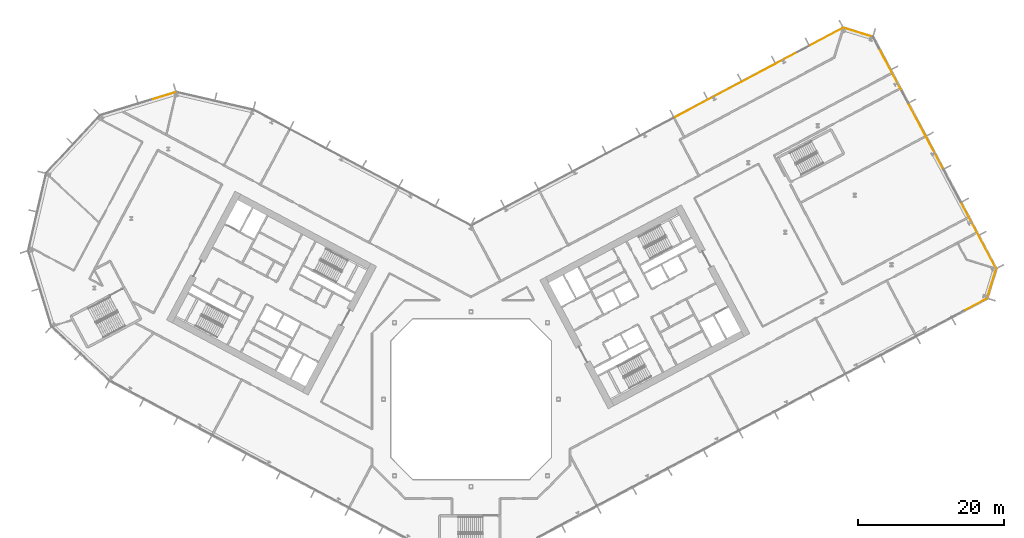
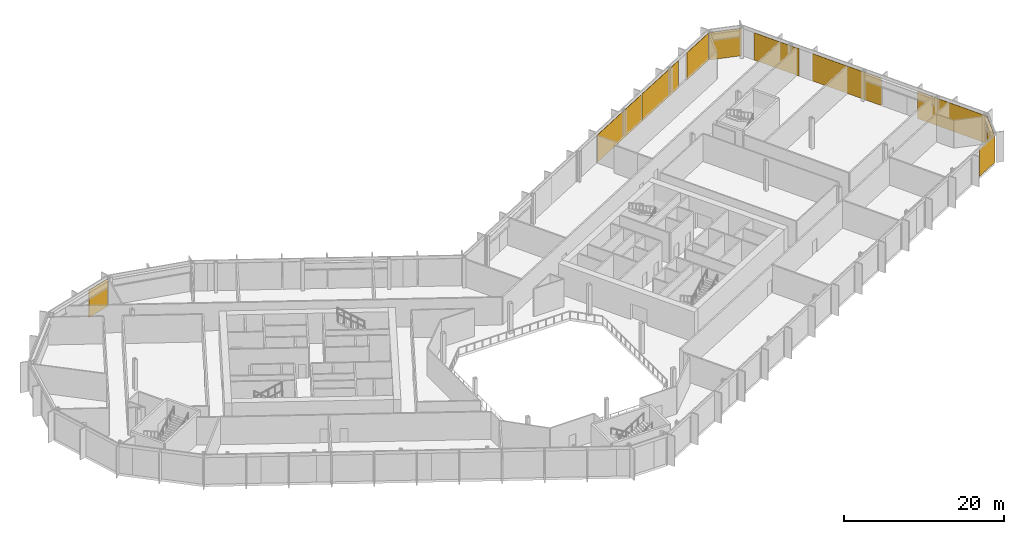
# One storey, part 31 of 32: 10 coverings, 6 elements without a shape of their own.
"""IFC4 building model written with IfcOpenShell, lengths in metres."""

from ifc_helpers import new_model, si_unit, direction, frame, origin, origin_2d, place, context, subcontext, project, spatial, rectangle, extrude, material, layer, layer_set, type_object, element, aggregate, save


model = new_model("IFC4")

# Units and contexts
model_context = context("Model", 3, precision=1e-05, world=origin(), true_north=direction((0.0, 1.0)))
body_context = subcontext(model_context, "Body", "Model", "MODEL_VIEW")
ifc_project = project(units=[si_unit("LENGTHUNIT", "METRE"), si_unit("AREAUNIT", "SQUARE_METRE"), si_unit("VOLUMEUNIT", "CUBIC_METRE"), si_unit("PLANEANGLEUNIT", "RADIAN"), si_unit("MASSUNIT", "GRAM", prefix="KILO")], contexts=[model_context])

# Site, building, storey
site_placement = place(None, origin())
site = spatial("IfcSite", under=ifc_project, at=site_placement, CompositionType="ELEMENT")
building_placement = place(site_placement, origin())
building = spatial("IfcBuilding", under=site, at=building_placement, Name="Cormorant Relay Tower", CompositionType="ELEMENT")
storey_placement = place(building_placement, frame((0.0, 0.0, 70.800048828125)))
storey = spatial("IfcBuildingStorey", under=building, at=storey_placement, Name="L13", CompositionType="ELEMENT", Elevation=70.800048828125)

# Curtain wall, covering
ifc_material_1 = material(Name="Aluminium 6063-T6 anodised bronze", Category="aluminium")
ifc_layer_1 = layer(ifc_material_1, 0.199951171875)
ifc_layer_set_1 = layer_set([ifc_layer_1], Name="CW1 unitised bronze curtain wall with vertical fins")
curtain_wall_type = type_object("IfcCurtainWallType", Name="CW1 unitised bronze curtain wall with vertical fins", PredefinedType="NOTDEFINED", material=ifc_layer_set_1)
curtain_wall_1_placement = place(storey_placement, origin())
curtain_wall_1 = element("IfcCurtainWall", 1, at=curtain_wall_1_placement, inside=storey, type_object=curtain_wall_type, Name="CW1 curtain wall 2", PredefinedType="NOTDEFINED")
ifc_material_2 = material(Name="Pale bronze anodised aluminium insulated panel", Category="aluminium")
ifc_layer_2 = layer(ifc_material_2, 0.0400390625)
ifc_layer_set_2 = layer_set([ifc_layer_2], Name="CW1 pale bronze insulated panel 40")
covering_type = type_object("IfcCoveringType", Name="CW1 pale bronze insulated panel 40", PredefinedType="CLADDING", material=ifc_layer_set_2)
covering_1_placement = place(storey_placement, frame((69.18603515625, 12.980224609375, 0.0), z_axis=(0.0, 0.0, 1.0), x_axis=(0.882947592859, 0.469471562786, 0.0)))
covering_1 = element("IfcCovering", 2, at=covering_1_placement, type_object=covering_type, Name="CW1 panel S15", PredefinedType="CLADDING", context=body_context, shape_type="SweptSolid", body=[
    extrude(rectangle(XDim=3.63671875, YDim=0.0400390625, at=origin_2d()), origin(), (0.0, 0.0, 1.0), 4.14990234375),
])
aggregate(curtain_wall_1, [covering_1])

curtain_wall_2_placement = place(storey_placement, origin())
curtain_wall_2 = element("IfcCurtainWall", 3, at=curtain_wall_2_placement, inside=storey, type_object=curtain_wall_type, Name="CW1 curtain wall 3", PredefinedType="NOTDEFINED")
covering_2_placement = place(storey_placement, frame((71.4326171875, 15.910400390625, 0.0), z_axis=(0.0, 0.0, 1.0), x_axis=(0.292371704723, 0.956304755963, 0.0)))
covering_2 = element("IfcCovering", 4, at=covering_2_placement, type_object=covering_type, Name="CW1 panel S00", PredefinedType="CLADDING", context=body_context, shape_type="SweptSolid", body=[
    extrude(rectangle(XDim=4.16748046875, YDim=0.0400390625, at=origin_2d()), origin(), (0.0, 0.0, 1.0), 4.14990234375),
])
aggregate(curtain_wall_2, [covering_2])

# Curtain wall, coverings
curtain_wall_3_placement = place(storey_placement, origin())
curtain_wall_3 = element("IfcCurtainWall", 5, at=curtain_wall_3_placement, inside=storey, type_object=curtain_wall_type, Name="CW1 curtain wall 4", PredefinedType="NOTDEFINED")
covering_3_placement = place(storey_placement, frame((69.6259765625, 22.459228515625, 0.0), z_axis=(0.0, 0.0, 1.0), x_axis=(-0.469471562786, 0.882947592859, 0.0)))
covering_3 = element("IfcCovering", 6, at=covering_3_placement, type_object=covering_type, Name="CW1 panel S00", PredefinedType="CLADDING", context=body_context, shape_type="SweptSolid", body=[
    extrude(rectangle(XDim=10.1357421875, YDim=0.0400390625, at=origin_2d()), origin(), (0.0, 0.0, 1.0), 4.14990234375),
])
covering_4_placement = place(storey_placement, frame((62.3828125, 36.081787109375, 0.0), z_axis=(0.0, 0.0, 1.0), x_axis=(-0.469471562786, 0.882947592859, 0.0)))
covering_4 = element("IfcCovering", 7, at=covering_4_placement, type_object=covering_type, Name="CW1 panel S03", PredefinedType="CLADDING", context=body_context, shape_type="SweptSolid", body=[
    extrude(rectangle(XDim=10.1357421875, YDim=0.0400390625, at=origin_2d()), origin(), (0.0, 0.0, 1.0), 4.14990234375),
])
covering_5_placement = place(storey_placement, frame((57.5361328125, 45.196533203125, 0.0), z_axis=(0.0, 0.0, 1.0), x_axis=(-0.469471562786, 0.882947592859, 0.0)))
covering_5 = element("IfcCovering", 8, at=covering_5_placement, type_object=covering_type, Name="CW1 panel S05", PredefinedType="CLADDING", context=body_context, shape_type="SweptSolid", body=[
    extrude(rectangle(XDim=6.610595703125, YDim=0.0400390625, at=origin_2d()), origin(), (0.0, 0.0, 1.0), 4.14990234375),
])
aggregate(curtain_wall_3, [covering_3, covering_4, covering_5])

# Curtain wall, covering
curtain_wall_4_placement = place(storey_placement, origin())
curtain_wall_4 = element("IfcCurtainWall", 9, at=curtain_wall_4_placement, inside=storey, type_object=curtain_wall_type, Name="CW1 curtain wall 5", PredefinedType="NOTDEFINED")
covering_6_placement = place(storey_placement, frame((53.06298828125, 50.34521484375, 0.0), z_axis=(0.0, 0.0, 1.0), x_axis=(-0.956304755963, 0.292371704723, 0.0)))
covering_6 = element("IfcCovering", 10, at=covering_6_placement, type_object=covering_type, Name="CW1 panel S00", PredefinedType="CLADDING", context=body_context, shape_type="SweptSolid", body=[
    extrude(rectangle(XDim=4.16748046875, YDim=0.0400390625, at=origin_2d()), origin(), (0.0, 0.0, 1.0), 4.14990234375),
])
aggregate(curtain_wall_4, [covering_6])

# Curtain wall, coverings
curtain_wall_5_placement = place(storey_placement, origin())
curtain_wall_5 = element("IfcCurtainWall", 11, at=curtain_wall_5_placement, inside=storey, type_object=curtain_wall_type, Name="CW1 curtain wall 6", PredefinedType="NOTDEFINED")
covering_7_placement = place(storey_placement, frame((48.73388671875, 49.718994140625, 0.0), z_axis=(0.0, 0.0, 1.0), x_axis=(-0.882947592859, -0.469471562786, 0.0)))
covering_7 = element("IfcCovering", 12, at=covering_7_placement, type_object=covering_type, Name="CW1 panel S00", PredefinedType="CLADDING", context=body_context, shape_type="SweptSolid", body=[
    extrude(rectangle(XDim=5.107666015625, YDim=0.0400390625, at=origin_2d()), origin(), (0.0, 0.0, 1.0), 4.14990234375),
])
covering_8_placement = place(storey_placement, frame((40.97607421875, 45.593994140625, 0.0), z_axis=(0.0, 0.0, 1.0), x_axis=(-0.882947592859, -0.469471562786, 0.0)))
covering_8 = element("IfcCovering", 13, at=covering_8_placement, type_object=covering_type, Name="CW1 panel S02", PredefinedType="CLADDING", context=body_context, shape_type="SweptSolid", body=[
    extrude(rectangle(XDim=8.565185546875, YDim=0.0400390625, at=origin_2d()), origin(), (0.0, 0.0, 1.0), 4.14990234375),
])
covering_9_placement = place(storey_placement, frame((32.486083984375, 41.079833984375, 0.0), z_axis=(0.0, 0.0, 1.0), x_axis=(-0.882947592859, -0.469471562786, 0.0)))
covering_9 = element("IfcCovering", 14, at=covering_9_placement, type_object=covering_type, Name="CW1 panel S03", PredefinedType="CLADDING", context=body_context, shape_type="SweptSolid", body=[
    extrude(rectangle(XDim=10.365234375, YDim=0.0400390625, at=origin_2d()), origin(), (0.0, 0.0, 1.0), 4.14990234375),
])
aggregate(curtain_wall_5, [covering_7, covering_8, covering_9])

# Curtain wall, covering
curtain_wall_6_placement = place(storey_placement, origin())
curtain_wall_6 = element("IfcCurtainWall", 15, at=curtain_wall_6_placement, inside=storey, type_object=curtain_wall_type, Name="CW1 curtain wall 9", PredefinedType="NOTDEFINED")
covering_10_placement = place(storey_placement, frame((-42.209716796875, 41.60107421875, 0.0), z_axis=(0.0, 0.0, 1.0), x_axis=(-0.956304755963, -0.292371704723, 0.0)))
covering_10 = element("IfcCovering", 16, at=covering_10_placement, type_object=covering_type, Name="CW1 panel S00", PredefinedType="CLADDING", context=body_context, shape_type="SweptSolid", body=[
    extrude(rectangle(XDim=3.485107421875, YDim=0.0400390625, at=origin_2d()), origin(), (0.0, 0.0, 1.0), 4.14990234375),
])
aggregate(curtain_wall_6, [covering_10])

save(model, "model.ifc")
